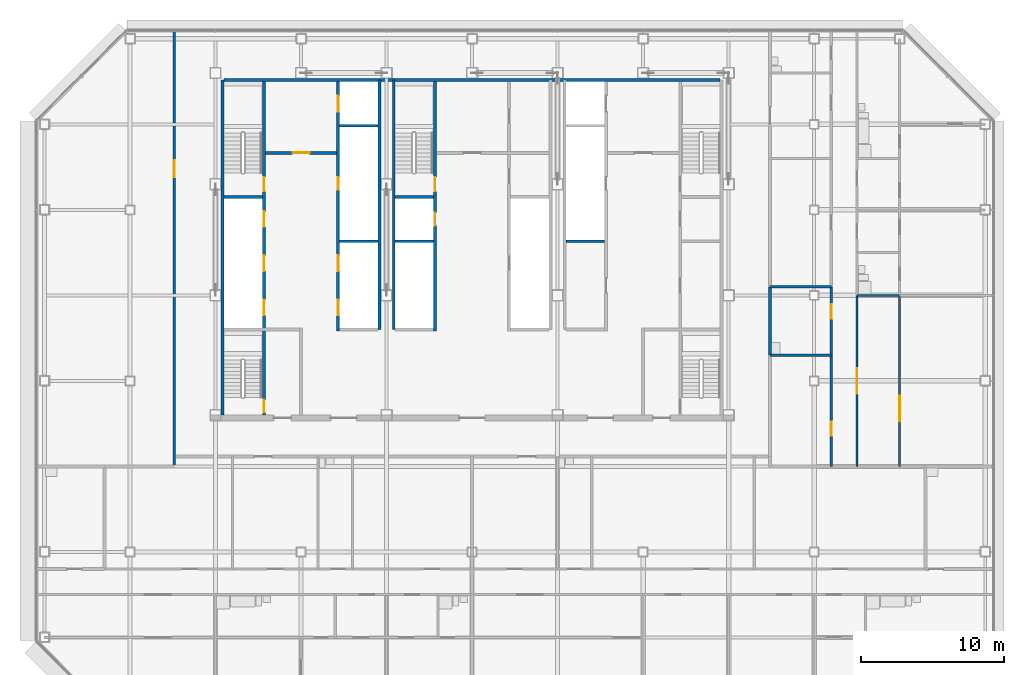
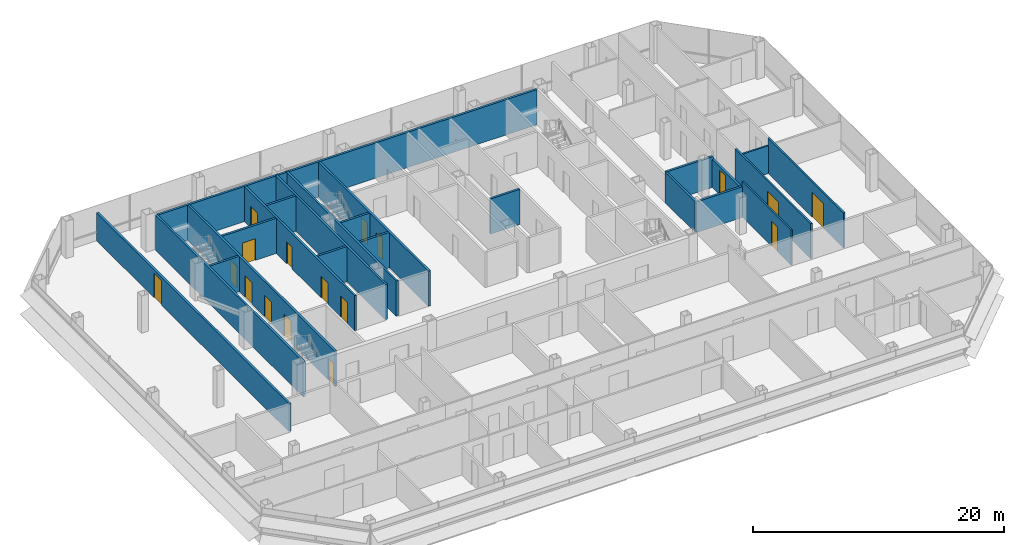
# One storey, part 21 of 26: 23 walls, 17 doors, 17 openings.
"""IFC4 building model written with IfcOpenShell, lengths in metres."""

from ifc_helpers import new_model, si_unit, direction, frame, frame_2d, origin, place, context, subcontext, project, spatial, rectangle, extrude, material, layer, layer_set, type_object, element, fill, save


model = new_model("IFC4")

# Units and contexts
model_context = context("Model", 3, precision=1e-05, world=origin(), true_north=direction((0.0, 1.0)))
body_context = subcontext(model_context, "Body", "Model", "MODEL_VIEW")
ifc_project = project(units=[si_unit("LENGTHUNIT", "METRE"), si_unit("AREAUNIT", "SQUARE_METRE"), si_unit("VOLUMEUNIT", "CUBIC_METRE"), si_unit("PLANEANGLEUNIT", "RADIAN"), si_unit("MASSUNIT", "GRAM", prefix="KILO")], contexts=[model_context])

# Site, building, storey
site_placement = place(None, origin())
site = spatial("IfcSite", under=ifc_project, at=site_placement, CompositionType="ELEMENT")
building_placement = place(site_placement, origin())
building = spatial("IfcBuilding", under=site, at=building_placement, Name="Sorahane Residences", CompositionType="ELEMENT")
storey_placement = place(building_placement, frame((0.0, 0.0, 147.39990234375)))
storey = spatial("IfcBuildingStorey", under=building, at=storey_placement, Name="L33", CompositionType="ELEMENT", Elevation=147.39990234375)

# Walls
ifc_material_1 = material(Name="Concrete C30", Category="concrete")
ifc_layer_1 = layer(ifc_material_1, 0.199951171875)
ifc_layer_set_1 = layer_set([ifc_layer_1], Name="Core face wall 200 EI 180")
wall_type_1 = type_object("IfcWallType", Name="Core face wall 200 EI 180", PredefinedType="SOLIDWALL", material=ifc_layer_set_1)
wall_1_placement = place(storey_placement, frame((6.5, 21.60009765625, 0.0), z_axis=(0.0, 0.0, 1.0), x_axis=(0.0, 1.0, 0.0)))
element("IfcWall", 1, at=wall_1_placement, inside=storey, type_object=wall_type_1, Name="L33 core face wall", PredefinedType="SOLIDWALL", context=body_context, shape_type="SweptSolid", body=[
    extrude(rectangle(XDim=23.5, YDim=0.199951171875, at=frame_2d((11.75, 0.0))), origin(), (0.0, 0.0, 1.0), 3.420166015625),
])
wall_2_placement = place(storey_placement, frame((6.60009765625, 45.10009765625, 0.0), z_axis=(0.0, 0.0, 1.0), x_axis=(1.0, 0.0, 0.0)))
element("IfcWall", 2, at=wall_2_placement, inside=storey, type_object=wall_type_1, Name="L33 core face wall", PredefinedType="SOLIDWALL", context=body_context, shape_type="SweptSolid", body=[
    extrude(rectangle(XDim=34.7998046875, YDim=0.199951171875, at=frame_2d((17.39990234375, 0.0))), origin(), (0.0, 0.0, 1.0), 3.420166015625),
])
for number, where, z_axis, x_axis, name in (
    (3, (17.5, 27.60009765625, 0.0), (0.0, 0.0, 1.0), (0.0, 1.0, 0.0), "L33 core face wall"),
    (4, (18.5, 27.60009765625, 0.0), (0.0, 0.0, 1.0), (0.0, 1.0, 0.0), "L33 core face wall"),
):
    element("IfcWall", number, at=place(storey_placement, frame(where, z_axis=z_axis, x_axis=x_axis)), inside=storey, type_object=wall_type_1, Name=name, PredefinedType="SOLIDWALL", context=body_context, shape_type="SweptSolid", body=[
        extrude(rectangle(XDim=17.5, YDim=0.199951171875, at=frame_2d((8.75, 0.0))), origin(), (0.0, 0.0, 1.0), 3.420166015625),
    ])

# Wall, opening, door
ifc_material_2 = material(Name="Concrete blockwork C20 wall", Category="masonry")
ifc_layer_2 = layer(ifc_material_2, 0.199951171875)
ifc_layer_set_2 = layer_set([ifc_layer_2], Name="Corridor wall 200 EI 120")
wall_type_2 = type_object("IfcWallType", Name="Corridor wall 200 EI 120", PredefinedType="SOLIDWALL", material=ifc_layer_set_2)
wall_3_placement = place(storey_placement, frame((3.10009765625, 18.0, 0.0), z_axis=(0.0, 0.0, 1.0), x_axis=(0.0, 1.0, 0.0)))
wall_3 = element("IfcWall", 5, at=wall_3_placement, inside=storey, type_object=wall_type_2, Name="L33 corridor wall", PredefinedType="SOLIDWALL", context=body_context, shape_type="SweptSolid", body=[
    extrude(rectangle(XDim=30.60009765625, YDim=0.199951171875, at=frame_2d((15.300048828125, 0.0))), origin(), (0.0, 0.0, 1.0), 2.72021484375),
])
opening_1_placement = place(wall_3_placement, frame((20.27001953125, 0.0, 0.0)))
opening_1 = element("IfcOpeningElement", 6, at=opening_1_placement, cuts=wall_3, Name="Opening L33-45", PredefinedType="OPENING", context=body_context, shape_type="SweptSolid", body=[
    extrude(rectangle(XDim=1.199951171875, YDim=2.39990234375, at=frame_2d((0.60009765625, 1.199951171875))), frame((0.0, 0.10986328125, 0.0), z_axis=(0.0, -1.0, 0.0), x_axis=(1.0, 0.0, 0.0)), (0.0, 0.0, 1.0), 0.219970703125),
])
ifc_material_3 = material(Name="Steel", Category="steel")
door_type_1 = type_object("IfcDoorType", Name="Lobby door 1200x2400 FD60", OperationType="NOTDEFINED", PredefinedType="DOOR", material=ifc_material_3)
door_1_placement = place(opening_1_placement, origin())
door_1 = element("IfcDoor", 7, at=door_1_placement, inside=storey, type_object=door_type_1, Name="Lobby door L33-45", OperationType="SINGLE_SWING_RIGHT", OverallHeight=2.39990234375, OverallWidth=1.199951171875, PredefinedType="DOOR", context=body_context, shape_type="SweptSolid", body=[
    extrude(rectangle(XDim=1.199951171875, YDim=2.39990234375, at=frame_2d((0.60009765625, 1.199951171875))), frame((0.0, 0.02490234375, 0.0), z_axis=(0.0, -1.0, 0.0), x_axis=(1.0, 0.0, 0.0)), (0.0, 0.0, 1.0), 0.050048828125),
])
fill(opening_1, door_1)

ifc_material_4 = material(Name="Concrete C30", Category="concrete")
ifc_layer_3 = layer(ifc_material_4, 0.199951171875)
ifc_layer_set_3 = layer_set([ifc_layer_3], Name="Front room wall 200 EI 120")
wall_type_3 = type_object("IfcWallType", Name="Front room wall 200 EI 120", PredefinedType="PARTITIONING", material=ifc_layer_set_3)
wall_4_placement = place(storey_placement, frame((9.5, 40.0, 0.0), z_axis=(0.0, 0.0, 1.0), x_axis=(1.0, 0.0, 0.0)))
wall_4 = element("IfcWall", 8, at=wall_4_placement, inside=storey, type_object=wall_type_3, Name="L33 front room wall", PredefinedType="PARTITIONING", context=body_context, shape_type="SweptSolid", body=[
    extrude(rectangle(XDim=5.0, YDim=0.199951171875, at=frame_2d((2.5, 0.0))), origin(), (0.0, 0.0, 1.0), 3.420166015625),
])
opening_2_placement = place(wall_4_placement, frame((1.89990234375, 0.0, 0.0)))
opening_2 = element("IfcOpeningElement", 9, at=opening_2_placement, cuts=wall_4, Name="Opening L33-C06", PredefinedType="OPENING", context=body_context, shape_type="SweptSolid", body=[
    extrude(rectangle(XDim=1.199951171875, YDim=2.10009765625, at=frame_2d((0.60009765625, 1.050048828125))), frame((0.0, 0.10986328125, 0.0), z_axis=(0.0, -1.0, 0.0), x_axis=(1.0, 0.0, 0.0)), (0.0, 0.0, 1.0), 0.219970703125),
])
ifc_material_5 = material(Name="Steel", Category="steel")
door_type_2 = type_object("IfcDoorType", Name="Front room door 1200x2100 FD120", OperationType="NOTDEFINED", PredefinedType="DOOR", material=ifc_material_5)
door_2_placement = place(opening_2_placement, frame((1.199951171875, 0.0, 0.0), z_axis=(0.0, 0.0, 1.0), x_axis=(-1.0, 0.0, 0.0)))
door_2 = element("IfcDoor", 10, at=door_2_placement, inside=storey, type_object=door_type_2, Name="Front room door Firefighting lobby FF1 front room L33", OperationType="DOUBLE_DOOR_SINGLE_SWING", OverallHeight=2.10009765625, OverallWidth=1.199951171875, PredefinedType="DOOR", context=body_context, shape_type="SweptSolid", body=[
    extrude(rectangle(XDim=1.199951171875, YDim=2.10009765625, at=frame_2d((0.60009765625, 1.050048828125))), frame((0.0, 0.02490234375, 0.0), z_axis=(0.0, -1.0, 0.0), x_axis=(1.0, 0.0, 0.0)), (0.0, 0.0, 1.0), 0.050048828125),
])
fill(opening_2, door_2)

# Wall
ifc_material_6 = material(Name="Concrete blockwork C20 wall", Category="masonry")
ifc_layer_4 = layer(ifc_material_6, 0.199951171875)
ifc_layer_set_4 = layer_set([ifc_layer_4], Name="Kitchen wall 200 EI 180")
wall_type_4 = type_object("IfcWallType", Name="Kitchen wall 200 EI 180", PredefinedType="SOLIDWALL", material=ifc_layer_set_4)
wall_5_placement = place(storey_placement, frame((44.89990234375, 25.800048828125, 0.0), z_axis=(0.0, 0.0, 1.0), x_axis=(0.0, 1.0, 0.0)))
element("IfcWall", 11, at=wall_5_placement, inside=storey, type_object=wall_type_4, Name="L33 kitchen wall", PredefinedType="SOLIDWALL", context=body_context, shape_type="SweptSolid", body=[
    extrude(rectangle(XDim=4.800048828125, YDim=0.199951171875, at=frame_2d((2.39990234375, 0.0))), origin(), (0.0, 0.0, 1.0), 2.97021484375),
])

# Wall, opening, door
wall_6_placement = place(storey_placement, frame((49.199951171875, 25.800048828125, 0.0), z_axis=(0.0, 0.0, 1.0), x_axis=(0.0, 1.0, 0.0)))
wall_6 = element("IfcWall", 12, at=wall_6_placement, inside=storey, type_object=wall_type_4, Name="L33 kitchen wall", PredefinedType="SOLIDWALL", context=body_context, shape_type="SweptSolid", body=[
    extrude(rectangle(XDim=4.800048828125, YDim=0.199951171875, at=frame_2d((2.39990234375, 0.0))), origin(), (0.0, 0.0, 1.0), 2.72021484375),
])
opening_3_placement = place(wall_6_placement, frame((2.56005859375, 0.0, 0.0)))
opening_3 = element("IfcOpeningElement", 13, at=opening_3_placement, cuts=wall_6, Name="Opening L33-30", PredefinedType="OPENING", context=body_context, shape_type="SweptSolid", body=[
    extrude(rectangle(XDim=1.0, YDim=2.39990234375, at=frame_2d((0.5, 1.199951171875))), frame((0.0, 0.10986328125, 0.0), z_axis=(0.0, -1.0, 0.0), x_axis=(1.0, 0.0, 0.0)), (0.0, 0.0, 1.0), 0.219970703125),
])
ifc_material_7 = material(Name="Steel", Category="steel")
door_type_3 = type_object("IfcDoorType", Name="Kitchen door 1000x2400 FD120", OperationType="NOTDEFINED", PredefinedType="DOOR", material=ifc_material_7)
door_3_placement = place(opening_3_placement, origin())
door_3 = element("IfcDoor", 14, at=door_3_placement, inside=storey, type_object=door_type_3, Name="Kitchen door L33-30", OperationType="SINGLE_SWING_RIGHT", OverallHeight=2.39990234375, OverallWidth=1.0, PredefinedType="DOOR", context=body_context, shape_type="SweptSolid", body=[
    extrude(rectangle(XDim=1.0, YDim=2.39990234375, at=frame_2d((0.5, 1.199951171875))), frame((0.0, 0.02490234375, 0.0), z_axis=(0.0, -1.0, 0.0), x_axis=(1.0, 0.0, 0.0)), (0.0, 0.0, 1.0), 0.050048828125),
])
fill(opening_3, door_3)

# Walls
for number, where, z_axis, x_axis, name in (
    (15, (44.89990234375, 25.800048828125, 0.0), (0.0, 0.0, 1.0), (1.0, 0.0, 0.0), "L33 kitchen wall"),
    (16, (44.89990234375, 30.60009765625, 0.0), (0.0, 0.0, 1.0), (1.0, 0.0, 0.0), "L33 kitchen wall"),
):
    element("IfcWall", number, at=place(storey_placement, frame(where, z_axis=z_axis, x_axis=x_axis)), inside=storey, type_object=wall_type_4, Name=name, PredefinedType="SOLIDWALL", context=body_context, shape_type="SweptSolid", body=[
        extrude(rectangle(XDim=4.300048828125, YDim=0.199951171875, at=frame_2d((2.14990234375, 0.0))), origin(), (0.0, 0.0, 1.0), 2.97021484375),
    ])

# Wall, openings, doors
ifc_material_8 = material(Name="Concrete C30", Category="concrete")
ifc_layer_5 = layer(ifc_material_8, 0.199951171875)
ifc_layer_set_5 = layer_set([ifc_layer_5], Name="Lift shaft wall 200 EI 120")
wall_type_5 = type_object("IfcWallType", Name="Lift shaft wall 200 EI 120", PredefinedType="SOLIDWALL", material=ifc_layer_set_5)
wall_7_placement = place(storey_placement, frame((14.60009765625, 27.5, 0.0), z_axis=(0.0, 0.0, 1.0), x_axis=(0.0, 1.0, 0.0)))
wall_7 = element("IfcWall", 17, at=wall_7_placement, inside=storey, type_object=wall_type_5, Name="L33 lift shaft wall", PredefinedType="SOLIDWALL", context=body_context, shape_type="SweptSolid", body=[
    extrude(rectangle(XDim=17.5, YDim=0.199951171875, at=frame_2d((8.75, 0.0))), origin(), (0.0, 0.0, 1.0), 3.420166015625),
])
opening_4_placement = place(wall_7_placement, frame((1.10009765625, 0.0, 0.0)))
opening_4 = element("IfcOpeningElement", 18, at=opening_4_placement, cuts=wall_7, Name="Opening L33-C10", PredefinedType="OPENING", context=body_context, shape_type="SweptSolid", body=[
    extrude(rectangle(XDim=1.10009765625, YDim=2.10009765625, at=frame_2d((0.550048828125, 1.050048828125))), frame((0.0, 0.10986328125, 0.0), z_axis=(0.0, -1.0, 0.0), x_axis=(1.0, 0.0, 0.0)), (0.0, 0.0, 1.0), 0.219970703125),
])
opening_5_placement = place(wall_7_placement, frame((4.199951171875, 0.0, 0.0)))
opening_5 = element("IfcOpeningElement", 19, at=opening_5_placement, cuts=wall_7, Name="Opening L33-C11", PredefinedType="OPENING", context=body_context, shape_type="SweptSolid", body=[
    extrude(rectangle(XDim=1.10009765625, YDim=2.10009765625, at=frame_2d((0.550048828125, 1.050048828125))), frame((0.0, 0.10986328125, 0.0), z_axis=(0.0, -1.0, 0.0), x_axis=(1.0, 0.0, 0.0)), (0.0, 0.0, 1.0), 0.219970703125),
])
opening_6_placement = place(wall_7_placement, frame((15.39990234375, 0.0, 0.0)))
opening_6 = element("IfcOpeningElement", 20, at=opening_6_placement, cuts=wall_7, Name="Opening L33-C12", PredefinedType="OPENING", context=body_context, shape_type="SweptSolid", body=[
    extrude(rectangle(XDim=1.10009765625, YDim=2.10009765625, at=frame_2d((0.550048828125, 1.050048828125))), frame((0.0, 0.10986328125, 0.0), z_axis=(0.0, -1.0, 0.0), x_axis=(1.0, 0.0, 0.0)), (0.0, 0.0, 1.0), 0.219970703125),
])
opening_7_placement = place(wall_7_placement, frame((9.89990234375, 0.0, 0.0)))
opening_7 = element("IfcOpeningElement", 21, at=opening_7_placement, cuts=wall_7, Name="Opening L33-C24", PredefinedType="OPENING", context=body_context, shape_type="SweptSolid", body=[
    extrude(rectangle(XDim=0.89990234375, YDim=2.10009765625, at=frame_2d((0.449951171875, 1.050048828125))), frame((0.0, 0.10986328125, 0.0), z_axis=(0.0, -1.0, 0.0), x_axis=(1.0, 0.0, 0.0)), (0.0, 0.0, 1.0), 0.219970703125),
])
ifc_material_9 = material(Name="Aluminium and stainless steel", Category="steel")
door_type_4 = type_object("IfcDoorType", Name="Lift landing door 1100x2100 E 60", OperationType="NOTDEFINED", PredefinedType="DOOR", material=ifc_material_9)
door_4_placement = place(opening_4_placement, origin())
door_4 = element("IfcDoor", 22, at=door_4_placement, inside=storey, type_object=door_type_4, Name="Lift landing door LR4 L33", OperationType="DOUBLE_DOOR_SLIDING", OverallHeight=2.10009765625, OverallWidth=1.10009765625, PredefinedType="DOOR", context=body_context, shape_type="SweptSolid", body=[
    extrude(rectangle(XDim=1.10009765625, YDim=2.10009765625, at=frame_2d((0.550048828125, 1.050048828125))), frame((0.0, 0.02490234375, 0.0), z_axis=(0.0, -1.0, 0.0), x_axis=(1.0, 0.0, 0.0)), (0.0, 0.0, 1.0), 0.050048828125),
])
fill(opening_4, door_4)
door_5_placement = place(opening_5_placement, origin())
door_5 = element("IfcDoor", 23, at=door_5_placement, inside=storey, type_object=door_type_4, Name="Lift landing door LR5 L33", OperationType="DOUBLE_DOOR_SLIDING", OverallHeight=2.10009765625, OverallWidth=1.10009765625, PredefinedType="DOOR", context=body_context, shape_type="SweptSolid", body=[
    extrude(rectangle(XDim=1.10009765625, YDim=2.10009765625, at=frame_2d((0.550048828125, 1.050048828125))), frame((0.0, 0.02490234375, 0.0), z_axis=(0.0, -1.0, 0.0), x_axis=(1.0, 0.0, 0.0)), (0.0, 0.0, 1.0), 0.050048828125),
])
fill(opening_5, door_5)
door_6_placement = place(opening_6_placement, origin())
door_6 = element("IfcDoor", 24, at=door_6_placement, inside=storey, type_object=door_type_4, Name="Lift landing door FF1 L33", OperationType="DOUBLE_DOOR_SLIDING", OverallHeight=2.10009765625, OverallWidth=1.10009765625, PredefinedType="DOOR", context=body_context, shape_type="SweptSolid", body=[
    extrude(rectangle(XDim=1.10009765625, YDim=2.10009765625, at=frame_2d((0.550048828125, 1.050048828125))), frame((0.0, 0.02490234375, 0.0), z_axis=(0.0, -1.0, 0.0), x_axis=(1.0, 0.0, 0.0)), (0.0, 0.0, 1.0), 0.050048828125),
])
fill(opening_6, door_6)
ifc_material_10 = material(Name="Steel", Category="steel")
door_type_5 = type_object("IfcDoorType", Name="Riser door 900x2100 FD120", OperationType="NOTDEFINED", PredefinedType="DOOR", material=ifc_material_10)
door_7_placement = place(opening_7_placement, origin())
door_7 = element("IfcDoor", 25, at=door_7_placement, inside=storey, type_object=door_type_5, Name="Riser door R1 L33", OperationType="SINGLE_SWING_LEFT", OverallHeight=2.10009765625, OverallWidth=0.89990234375, PredefinedType="DOOR", context=body_context, shape_type="SweptSolid", body=[
    extrude(rectangle(XDim=0.89990234375, YDim=2.10009765625, at=frame_2d((0.449951171875, 1.050048828125))), frame((0.0, 0.02490234375, 0.0), z_axis=(0.0, -1.0, 0.0), x_axis=(1.0, 0.0, 0.0)), (0.0, 0.0, 1.0), 0.050048828125),
])
fill(opening_7, door_7)

# Walls
for number, where, z_axis, x_axis, name in (
    (26, (14.699951171875, 33.800048828125, 0.0), (0.0, 0.0, 1.0), (1.0, 0.0, 0.0), "L33 lift shaft wall"),
    (27, (18.60009765625, 33.800048828125, 0.0), (0.0, 0.0, 1.0), (1.0, 0.0, 0.0), "L33 lift shaft wall"),
    (28, (14.699951171875, 41.89990234375, 0.0), (0.0, 0.0, 1.0), (1.0, 0.0, 0.0), "L33 lift shaft wall"),
):
    element("IfcWall", number, at=place(storey_placement, frame(where, z_axis=z_axis, x_axis=x_axis)), inside=storey, type_object=wall_type_5, Name=name, PredefinedType="SOLIDWALL", context=body_context, shape_type="SweptSolid", body=[
        extrude(rectangle(XDim=2.699951171875, YDim=0.199951171875, at=frame_2d((1.35009765625, 0.0))), origin(), (0.0, 0.0, 1.0), 3.420166015625),
    ])

# Wall, opening, door
ifc_material_11 = material(Name="Gypsum board partition on steel studs", Category="steel")
ifc_layer_6 = layer(ifc_material_11, 0.14990234375)
ifc_layer_set_6 = layer_set([ifc_layer_6], Name="Partition 150 EI 90")
wall_type_6 = type_object("IfcWallType", Name="Partition 150 EI 90", PredefinedType="PARTITIONING", material=ifc_layer_set_6)
wall_8_placement = place(storey_placement, frame((49.199951171875, 18.0, 0.0), z_axis=(0.0, 0.0, 1.0), x_axis=(0.0, 1.0, 0.0)))
wall_8 = element("IfcWall", 29, at=wall_8_placement, inside=storey, type_object=wall_type_6, Name="L33 partition", PredefinedType="PARTITIONING", context=body_context, shape_type="SweptSolid", body=[
    extrude(rectangle(XDim=7.800048828125, YDim=0.14990234375, at=frame_2d((3.89990234375, 0.0))), origin(), (0.0, 0.0, 1.0), 3.420166015625),
])
opening_8_placement = place(wall_8_placement, frame((2.139892578125, 0.0, 0.0)))
opening_8 = element("IfcOpeningElement", 30, at=opening_8_placement, cuts=wall_8, Name="Opening L33-29", PredefinedType="OPENING", context=body_context, shape_type="SweptSolid", body=[
    extrude(rectangle(XDim=1.0, YDim=2.39990234375, at=frame_2d((0.5, 1.199951171875))), frame((0.0, 0.0849609375, 0.0), z_axis=(0.0, -1.0, 0.0), x_axis=(1.0, 0.0, 0.0)), (0.0, 0.0, 1.0), 0.169921875),
])
ifc_material_12 = material(Name="Timber veneered fire door", Category="wood")
door_type_6 = type_object("IfcDoorType", Name="Room door 1000x2400 FD30", OperationType="NOTDEFINED", PredefinedType="DOOR", material=ifc_material_12)
door_8_placement = place(opening_8_placement, origin())
door_8 = element("IfcDoor", 31, at=door_8_placement, inside=storey, type_object=door_type_6, Name="Room door L33-29", OperationType="SINGLE_SWING_RIGHT", OverallHeight=2.39990234375, OverallWidth=1.0, PredefinedType="DOOR", context=body_context, shape_type="SweptSolid", body=[
    extrude(rectangle(XDim=1.0, YDim=2.39990234375, at=frame_2d((0.5, 1.199951171875))), frame((0.0, 0.02490234375, 0.0), z_axis=(0.0, -1.0, 0.0), x_axis=(1.0, 0.0, 0.0)), (0.0, 0.0, 1.0), 0.050048828125),
])
fill(opening_8, door_8)

wall_9_placement = place(storey_placement, frame((51.0, 18.0, 0.0), z_axis=(0.0, 0.0, 1.0), x_axis=(0.0, 1.0, 0.0)))
wall_9 = element("IfcWall", 32, at=wall_9_placement, inside=storey, type_object=wall_type_6, Name="L33 partition", PredefinedType="PARTITIONING", context=body_context, shape_type="SweptSolid", body=[
    extrude(rectangle(XDim=12.0, YDim=0.14990234375, at=frame_2d((6.0, 0.0))), origin(), (0.0, 0.0, 1.0), 3.420166015625),
])
opening_9_placement = place(wall_9_placement, frame((5.10009765625, 0.0, 0.0)))
opening_9 = element("IfcOpeningElement", 33, at=opening_9_placement, cuts=wall_9, Name="Opening L33-33", PredefinedType="OPENING", context=body_context, shape_type="SweptSolid", body=[
    extrude(rectangle(XDim=1.800048828125, YDim=2.39990234375, at=frame_2d((0.89990234375, 1.199951171875))), frame((0.0, 0.0849609375, 0.0), z_axis=(0.0, -1.0, 0.0), x_axis=(1.0, 0.0, 0.0)), (0.0, 0.0, 1.0), 0.169921875),
])
ifc_material_13 = material(Name="Timber veneered fire door", Category="wood")
door_type_7 = type_object("IfcDoorType", Name="Double door 1800x2400 FD30", OperationType="NOTDEFINED", PredefinedType="DOOR", material=ifc_material_13)
door_9_placement = place(opening_9_placement, frame((1.800048828125, 0.0, 0.0), z_axis=(0.0, 0.0, 1.0), x_axis=(-1.0, 0.0, 0.0)))
door_9 = element("IfcDoor", 34, at=door_9_placement, inside=storey, type_object=door_type_7, Name="Double door L33-33", OperationType="SINGLE_SWING_RIGHT", OverallHeight=2.39990234375, OverallWidth=1.800048828125, PredefinedType="DOOR", context=body_context, shape_type="SweptSolid", body=[
    extrude(rectangle(XDim=1.800048828125, YDim=2.39990234375, at=frame_2d((0.89990234375, 1.199951171875))), frame((0.0, 0.02490234375, 0.0), z_axis=(0.0, -1.0, 0.0), x_axis=(1.0, 0.0, 0.0)), (0.0, 0.0, 1.0), 0.050048828125),
])
fill(opening_9, door_9)

wall_10_placement = place(storey_placement, frame((54.0, 18.0, 0.0), z_axis=(0.0, 0.0, 1.0), x_axis=(0.0, 1.0, 0.0)))
wall_10 = element("IfcWall", 35, at=wall_10_placement, inside=storey, type_object=wall_type_6, Name="L33 partition", PredefinedType="PARTITIONING", context=body_context, shape_type="SweptSolid", body=[
    extrude(rectangle(XDim=12.0, YDim=0.14990234375, at=frame_2d((6.0, 0.0))), origin(), (0.0, 0.0, 1.0), 3.420166015625),
])
opening_10_placement = place(wall_10_placement, frame((3.159912109375, 0.0, 0.0)))
opening_10 = element("IfcOpeningElement", 36, at=opening_10_placement, cuts=wall_10, Name="Opening L33-36", PredefinedType="OPENING", context=body_context, shape_type="SweptSolid", body=[
    extrude(rectangle(XDim=1.800048828125, YDim=2.39990234375, at=frame_2d((0.89990234375, 1.199951171875))), frame((0.0, 0.0849609375, 0.0), z_axis=(0.0, -1.0, 0.0), x_axis=(1.0, 0.0, 0.0)), (0.0, 0.0, 1.0), 0.169921875),
])
door_10_placement = place(opening_10_placement, frame((1.800048828125, 0.0, 0.0), z_axis=(0.0, 0.0, 1.0), x_axis=(-1.0, 0.0, 0.0)))
door_10 = element("IfcDoor", 37, at=door_10_placement, inside=storey, type_object=door_type_7, Name="Double door L33-36", OperationType="SINGLE_SWING_RIGHT", OverallHeight=2.39990234375, OverallWidth=1.800048828125, PredefinedType="DOOR", context=body_context, shape_type="SweptSolid", body=[
    extrude(rectangle(XDim=1.800048828125, YDim=2.39990234375, at=frame_2d((0.89990234375, 1.199951171875))), frame((0.0, 0.02490234375, 0.0), z_axis=(0.0, -1.0, 0.0), x_axis=(1.0, 0.0, 0.0)), (0.0, 0.0, 1.0), 0.050048828125),
])
fill(opening_10, door_10)

# Wall
ifc_material_14 = material(Name="Concrete C30", Category="concrete")
ifc_layer_7 = layer(ifc_material_14, 0.199951171875)
ifc_layer_set_7 = layer_set([ifc_layer_7], Name="Riser shaft wall 200 EI 120")
wall_type_7 = type_object("IfcWallType", Name="Riser shaft wall 200 EI 120", PredefinedType="SOLIDWALL", material=ifc_layer_set_7)
wall_11_placement = place(storey_placement, frame((30.60009765625, 33.800048828125, 0.0), z_axis=(0.0, 0.0, 1.0), x_axis=(1.0, 0.0, 0.0)))
element("IfcWall", 38, at=wall_11_placement, inside=storey, type_object=wall_type_7, Name="L33 riser wall", PredefinedType="SOLIDWALL", context=body_context, shape_type="SweptSolid", body=[
    extrude(rectangle(XDim=2.699951171875, YDim=0.199951171875, at=frame_2d((1.35009765625, 0.0))), origin(), (0.0, 0.0, 1.0), 3.420166015625),
])

# Wall, openings, doors
ifc_material_15 = material(Name="Concrete C30", Category="concrete")
ifc_layer_8 = layer(ifc_material_15, 0.199951171875)
ifc_layer_set_8 = layer_set([ifc_layer_8], Name="Stair enclosure wall 200 EI 120")
wall_type_8 = type_object("IfcWallType", Name="Stair enclosure wall 200 EI 120", PredefinedType="SOLIDWALL", material=ifc_layer_set_8)
wall_12_placement = place(storey_placement, frame((21.39990234375, 27.5, 0.0), z_axis=(0.0, 0.0, 1.0), x_axis=(0.0, 1.0, 0.0)))
wall_12 = element("IfcWall", 39, at=wall_12_placement, inside=storey, type_object=wall_type_8, Name="L33 stair enclosure wall", PredefinedType="SOLIDWALL", context=body_context, shape_type="SweptSolid", body=[
    extrude(rectangle(XDim=17.5, YDim=0.199951171875, at=frame_2d((8.75, 0.0))), origin(), (0.0, 0.0, 1.0), 3.420166015625),
])
opening_11_placement = place(wall_12_placement, frame((9.800048828125, 0.0, 0.0)))
opening_11 = element("IfcOpeningElement", 40, at=opening_11_placement, cuts=wall_12, Name="Opening L33-C21", PredefinedType="OPENING", context=body_context, shape_type="SweptSolid", body=[
    extrude(rectangle(XDim=1.0, YDim=2.10009765625, at=frame_2d((0.5, 1.050048828125))), frame((0.0, 0.10986328125, 0.0), z_axis=(0.0, -1.0, 0.0), x_axis=(1.0, 0.0, 0.0)), (0.0, 0.0, 1.0), 0.219970703125),
])
opening_12_placement = place(wall_12_placement, frame((7.39990234375, 0.0, 0.0)))
opening_12 = element("IfcOpeningElement", 41, at=opening_12_placement, cuts=wall_12, Name="Opening L33-C26", PredefinedType="OPENING", context=body_context, shape_type="SweptSolid", body=[
    extrude(rectangle(XDim=0.89990234375, YDim=2.10009765625, at=frame_2d((0.449951171875, 1.050048828125))), frame((0.0, 0.10986328125, 0.0), z_axis=(0.0, -1.0, 0.0), x_axis=(1.0, 0.0, 0.0)), (0.0, 0.0, 1.0), 0.219970703125),
])
door_11_placement = place(opening_12_placement, frame((0.89990234375, 0.0, 0.0), z_axis=(0.0, 0.0, 1.0), x_axis=(-1.0, 0.0, 0.0)))
door_11 = element("IfcDoor", 42, at=door_11_placement, inside=storey, type_object=door_type_5, Name="Riser door R3 L33", OperationType="SINGLE_SWING_LEFT", OverallHeight=2.10009765625, OverallWidth=0.89990234375, PredefinedType="DOOR", context=body_context, shape_type="SweptSolid", body=[
    extrude(rectangle(XDim=0.89990234375, YDim=2.10009765625, at=frame_2d((0.449951171875, 1.050048828125))), frame((0.0, 0.02490234375, 0.0), z_axis=(0.0, -1.0, 0.0), x_axis=(1.0, 0.0, 0.0)), (0.0, 0.0, 1.0), 0.050048828125),
])
fill(opening_12, door_11)
ifc_material_16 = material(Name="Steel", Category="steel")
door_type_8 = type_object("IfcDoorType", Name="Stair door 1000x2100 FD120", OperationType="NOTDEFINED", PredefinedType="DOOR", material=ifc_material_16)
door_12_placement = place(opening_11_placement, origin())
door_12 = element("IfcDoor", 43, at=door_12_placement, inside=storey, type_object=door_type_8, Name="Stair door S3 L33", OperationType="SINGLE_SWING_LEFT", OverallHeight=2.10009765625, OverallWidth=1.0, PredefinedType="DOOR", context=body_context, shape_type="SweptSolid", body=[
    extrude(rectangle(XDim=1.0, YDim=2.10009765625, at=frame_2d((0.5, 1.050048828125))), frame((0.0, 0.02490234375, 0.0), z_axis=(0.0, -1.0, 0.0), x_axis=(1.0, 0.0, 0.0)), (0.0, 0.0, 1.0), 0.050048828125),
])
fill(opening_11, door_12)

wall_13_placement = place(storey_placement, frame((9.39990234375, 21.60009765625, 0.0), z_axis=(0.0, 0.0, 1.0), x_axis=(0.0, 1.0, 0.0)))
wall_13 = element("IfcWall", 44, at=wall_13_placement, inside=storey, type_object=wall_type_8, Name="L33 stair enclosure wall", PredefinedType="SOLIDWALL", context=body_context, shape_type="SweptSolid", body=[
    extrude(rectangle(XDim=23.39990234375, YDim=0.199951171875, at=frame_2d((11.699951171875, 0.0))), origin(), (0.0, 0.0, 1.0), 3.420166015625),
])
opening_13_placement = place(wall_13_placement, frame((7.0, 0.0, 0.0)))
opening_13 = element("IfcOpeningElement", 45, at=opening_13_placement, cuts=wall_13, Name="Opening L33-C13", PredefinedType="OPENING", context=body_context, shape_type="SweptSolid", body=[
    extrude(rectangle(XDim=1.10009765625, YDim=2.10009765625, at=frame_2d((0.550048828125, 1.050048828125))), frame((0.0, 0.10986328125, 0.0), z_axis=(0.0, -1.0, 0.0), x_axis=(1.0, 0.0, 0.0)), (0.0, 0.0, 1.0), 0.219970703125),
])
opening_14_placement = place(wall_13_placement, frame((10.10009765625, 0.0, 0.0)))
opening_14 = element("IfcOpeningElement", 46, at=opening_14_placement, cuts=wall_13, Name="Opening L33-C14", PredefinedType="OPENING", context=body_context, shape_type="SweptSolid", body=[
    extrude(rectangle(XDim=1.10009765625, YDim=2.10009765625, at=frame_2d((0.550048828125, 1.050048828125))), frame((0.0, 0.10986328125, 0.0), z_axis=(0.0, -1.0, 0.0), x_axis=(1.0, 0.0, 0.0)), (0.0, 0.0, 1.0), 0.219970703125),
])
opening_15_placement = place(wall_13_placement, frame((13.199951171875, 0.0, 0.0)))
opening_15 = element("IfcOpeningElement", 47, at=opening_15_placement, cuts=wall_13, Name="Opening L33-C15", PredefinedType="OPENING", context=body_context, shape_type="SweptSolid", body=[
    extrude(rectangle(XDim=1.10009765625, YDim=2.10009765625, at=frame_2d((0.550048828125, 1.050048828125))), frame((0.0, 0.10986328125, 0.0), z_axis=(0.0, -1.0, 0.0), x_axis=(1.0, 0.0, 0.0)), (0.0, 0.0, 1.0), 0.219970703125),
])
opening_16_placement = place(wall_13_placement, frame((15.699951171875, 0.0, 0.0)))
opening_16 = element("IfcOpeningElement", 48, at=opening_16_placement, cuts=wall_13, Name="Opening L33-C19", PredefinedType="OPENING", context=body_context, shape_type="SweptSolid", body=[
    extrude(rectangle(XDim=1.0, YDim=2.10009765625, at=frame_2d((0.5, 1.050048828125))), frame((0.0, 0.10986328125, 0.0), z_axis=(0.0, -1.0, 0.0), x_axis=(1.0, 0.0, 0.0)), (0.0, 0.0, 1.0), 0.219970703125),
])
opening_17_placement = place(wall_13_placement, frame((0.175048828125, 0.0, 0.0)))
opening_17 = element("IfcOpeningElement", 49, at=opening_17_placement, cuts=wall_13, Name="Opening L33-C22", PredefinedType="OPENING", context=body_context, shape_type="SweptSolid", body=[
    extrude(rectangle(XDim=0.89990234375, YDim=2.10009765625, at=frame_2d((0.449951171875, 1.050048828125))), frame((0.0, 0.10986328125, 0.0), z_axis=(0.0, -1.0, 0.0), x_axis=(1.0, 0.0, 0.0)), (0.0, 0.0, 1.0), 0.219970703125),
])
door_13_placement = place(opening_13_placement, origin())
door_13 = element("IfcDoor", 50, at=door_13_placement, inside=storey, type_object=door_type_4, Name="Lift landing door LR1 L33", OperationType="DOUBLE_DOOR_SLIDING", OverallHeight=2.10009765625, OverallWidth=1.10009765625, PredefinedType="DOOR", context=body_context, shape_type="SweptSolid", body=[
    extrude(rectangle(XDim=1.10009765625, YDim=2.10009765625, at=frame_2d((0.550048828125, 1.050048828125))), frame((0.0, 0.02490234375, 0.0), z_axis=(0.0, -1.0, 0.0), x_axis=(1.0, 0.0, 0.0)), (0.0, 0.0, 1.0), 0.050048828125),
])
fill(opening_13, door_13)
door_14_placement = place(opening_14_placement, origin())
door_14 = element("IfcDoor", 51, at=door_14_placement, inside=storey, type_object=door_type_4, Name="Lift landing door LR2 L33", OperationType="DOUBLE_DOOR_SLIDING", OverallHeight=2.10009765625, OverallWidth=1.10009765625, PredefinedType="DOOR", context=body_context, shape_type="SweptSolid", body=[
    extrude(rectangle(XDim=1.10009765625, YDim=2.10009765625, at=frame_2d((0.550048828125, 1.050048828125))), frame((0.0, 0.02490234375, 0.0), z_axis=(0.0, -1.0, 0.0), x_axis=(1.0, 0.0, 0.0)), (0.0, 0.0, 1.0), 0.050048828125),
])
fill(opening_14, door_14)
door_15_placement = place(opening_15_placement, origin())
door_15 = element("IfcDoor", 52, at=door_15_placement, inside=storey, type_object=door_type_4, Name="Lift landing door LR3 L33", OperationType="DOUBLE_DOOR_SLIDING", OverallHeight=2.10009765625, OverallWidth=1.10009765625, PredefinedType="DOOR", context=body_context, shape_type="SweptSolid", body=[
    extrude(rectangle(XDim=1.10009765625, YDim=2.10009765625, at=frame_2d((0.550048828125, 1.050048828125))), frame((0.0, 0.02490234375, 0.0), z_axis=(0.0, -1.0, 0.0), x_axis=(1.0, 0.0, 0.0)), (0.0, 0.0, 1.0), 0.050048828125),
])
fill(opening_15, door_15)
door_16_placement = place(opening_16_placement, origin())
door_16 = element("IfcDoor", 53, at=door_16_placement, inside=storey, type_object=door_type_8, Name="Stair door S1 L33", OperationType="SINGLE_SWING_LEFT", OverallHeight=2.10009765625, OverallWidth=1.0, PredefinedType="DOOR", context=body_context, shape_type="SweptSolid", body=[
    extrude(rectangle(XDim=1.0, YDim=2.10009765625, at=frame_2d((0.5, 1.050048828125))), frame((0.0, 0.02490234375, 0.0), z_axis=(0.0, -1.0, 0.0), x_axis=(1.0, 0.0, 0.0)), (0.0, 0.0, 1.0), 0.050048828125),
])
fill(opening_16, door_16)
ifc_material_17 = material(Name="Steel", Category="steel")
door_type_9 = type_object("IfcDoorType", Name="Stair door 900x2100 FD120", OperationType="NOTDEFINED", PredefinedType="DOOR", material=ifc_material_17)
door_17_placement = place(opening_17_placement, origin())
door_17 = element("IfcDoor", 54, at=door_17_placement, inside=storey, type_object=door_type_9, Name="Stair door S4 L33", OperationType="SINGLE_SWING_LEFT", OverallHeight=2.10009765625, OverallWidth=0.89990234375, PredefinedType="DOOR", context=body_context, shape_type="SweptSolid", body=[
    extrude(rectangle(XDim=0.89990234375, YDim=2.10009765625, at=frame_2d((0.449951171875, 1.050048828125))), frame((0.0, 0.02490234375, 0.0), z_axis=(0.0, -1.0, 0.0), x_axis=(1.0, 0.0, 0.0)), (0.0, 0.0, 1.0), 0.050048828125),
])
fill(opening_17, door_17)

# Walls
for number, where, z_axis, x_axis, name in (
    (55, (18.60009765625, 36.89990234375, 0.0), (0.0, 0.0, 1.0), (1.0, 0.0, 0.0), "L33 stair enclosure wall"),
    (56, (6.60009765625, 36.89990234375, 0.0), (0.0, 0.0, 1.0), (1.0, 0.0, 0.0), "L33 stair enclosure wall"),
):
    element("IfcWall", number, at=place(storey_placement, frame(where, z_axis=z_axis, x_axis=x_axis)), inside=storey, type_object=wall_type_8, Name=name, PredefinedType="SOLIDWALL", context=body_context, shape_type="SweptSolid", body=[
        extrude(rectangle(XDim=2.699951171875, YDim=0.199951171875, at=frame_2d((1.35009765625, 0.0))), origin(), (0.0, 0.0, 1.0), 3.420166015625),
    ])
ifc_material_18 = material(Name="Gypsum board partition on steel studs", Category="steel")
ifc_layer_9 = layer(ifc_material_18, 0.14990234375)
ifc_layer_set_9 = layer_set([ifc_layer_9], Name="Wet wall 150 EI 90")
wall_type_9 = type_object("IfcWallType", Name="Wet wall 150 EI 90", PredefinedType="PARTITIONING", material=ifc_layer_set_9)
wall_14_placement = place(storey_placement, frame((51.0, 30.0, 0.0), z_axis=(0.0, 0.0, 1.0), x_axis=(1.0, 0.0, 0.0)))
element("IfcWall", 57, at=wall_14_placement, inside=storey, type_object=wall_type_9, Name="L33 wet wall", PredefinedType="PARTITIONING", context=body_context, shape_type="SweptSolid", body=[
    extrude(rectangle(XDim=3.0, YDim=0.14990234375, at=frame_2d((1.5, 0.0))), origin(), (0.0, 0.0, 1.0), 2.72021484375),
])

save(model, "model.ifc")
